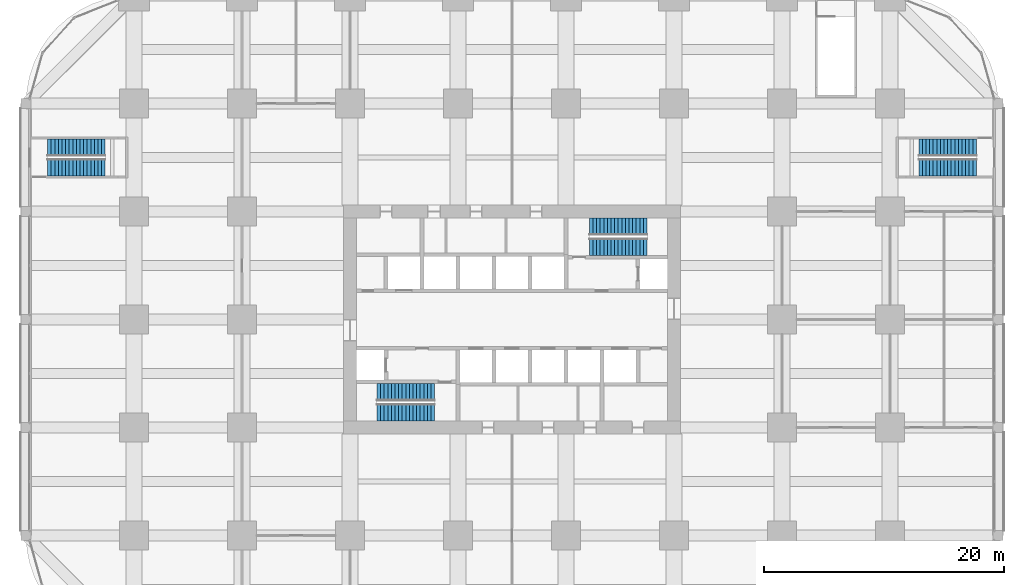
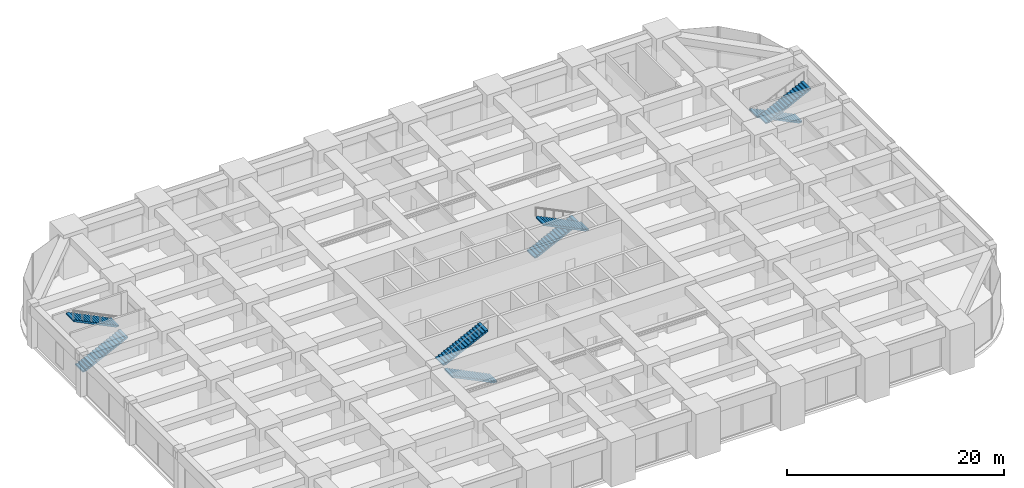
# One storey, part 44 of 46: 8 stair flights, 4 elements without a shape of their own.
"""IFC4 building model written with IfcOpenShell, lengths in metres."""

from ifc_helpers import new_model, si_unit, direction, frame, origin, place, context, subcontext, project, spatial, polyline, outline, extrude, material, type_object, element, aggregate, save


model = new_model("IFC4")

# Units and contexts
model_context = context("Model", 3, precision=1e-05, world=origin(), true_north=direction((0.0, 1.0)))
body_context = subcontext(model_context, "Body", "Model", "MODEL_VIEW")
ifc_project = project(units=[si_unit("LENGTHUNIT", "METRE"), si_unit("AREAUNIT", "SQUARE_METRE"), si_unit("VOLUMEUNIT", "CUBIC_METRE"), si_unit("PLANEANGLEUNIT", "RADIAN"), si_unit("MASSUNIT", "GRAM", prefix="KILO")], contexts=[model_context])

# Site, building, storey
site_placement = place(None, origin())
site = spatial("IfcSite", under=ifc_project, at=site_placement, CompositionType="ELEMENT")
building_placement = place(site_placement, origin())
building = spatial("IfcBuilding", under=site, at=building_placement, Name="Zorevar Civic Tower", CompositionType="ELEMENT")
storey_placement = place(building_placement, frame((0.0, 0.0, 10.800048828125)))
storey = spatial("IfcBuildingStorey", under=building, at=storey_placement, Name="L02", CompositionType="ELEMENT", Elevation=10.800048828125)

# Stair, stair flights
ifc_material_1 = material(Name="Precast concrete C40/50", Category="concrete")
stair_type_1 = type_object("IfcStairType", Name="Escape stair PS 34R", PredefinedType="HALF_TURN_STAIR", material=ifc_material_1)
stair_1_placement = place(storey_placement, origin())
stair_1 = element("IfcStair", 1, at=stair_1_placement, inside=storey, type_object=stair_type_1, Name="Escape stair PS1 L02", PredefinedType="HALF_TURN_STAIR")
ifc_material_2 = material(Name="Precast concrete C40/50", Category="concrete")
stair_flight_type_1 = type_object("IfcStairFlightType", Name="Escape stair flight", PredefinedType="STRAIGHT", material=ifc_material_2)
stair_flight_1_placement = place(storey_placement, frame((-7.199951171875, 39.675048828125, 0.0), z_axis=(0.0, 0.0, 1.0), x_axis=(1.0, 0.0, 0.0)))
stair_flight_1 = element("IfcStairFlight", 2, at=stair_flight_1_placement, type_object=stair_flight_type_1, Name="PS1 flight 1", NumberOfRisers=17, NumberOfTreads=16, PredefinedType="STRAIGHT", RiserHeight=0.147058824, TreadLength=0.3, context=body_context, shape_type="SweptSolid", body=[
    extrude(outline(polyline([(0.0, 0.0), (0.0, 0.14697265625), (0.300048828125, 0.14697265625), (0.300048828125, 0.294189453125), (0.60009765625, 0.294189453125), (0.60009765625, 0.441162109375), (0.89990234375, 0.441162109375), (0.89990234375, 0.588134765625), (1.199951171875, 0.588134765625), (1.199951171875, 0.7353515625), (1.5, 0.7353515625), (1.5, 0.88232421875), (1.800048828125, 0.88232421875), (1.800048828125, 1.029296875), (2.10009765625, 1.029296875), (2.10009765625, 1.176513671875), (2.39990234375, 1.176513671875), (2.39990234375, 1.323486328125), (2.699951171875, 1.323486328125), (2.699951171875, 1.470703125), (3.0, 1.470703125), (3.0, 1.61767578125), (3.300048828125, 1.61767578125), (3.300048828125, 1.7646484375), (3.60009765625, 1.7646484375), (3.60009765625, 1.911865234375), (3.89990234375, 1.911865234375), (3.89990234375, 2.058837890625), (4.199951171875, 2.058837890625), (4.199951171875, 2.205810546875), (4.5, 2.205810546875), (4.5, 2.35302734375), (4.800048828125, 2.35302734375), (4.800048828125, 2.5), (4.800048828125, 2.18603515625), (0.340576171875, 0.0), (0.0, 0.0)])), frame((0.0, 0.699951171875, 0.0), z_axis=(0.0, -1.0, 0.0), x_axis=(1.0, 0.0, 0.0)), (0.0, 0.0, 1.0), 1.39990234375),
])
stair_flight_2_placement = place(storey_placement, frame((-2.39990234375, 41.324951171875, 2.5), z_axis=(0.0, 0.0, 1.0), x_axis=(-1.0, 0.0, 0.0)))
stair_flight_2 = element("IfcStairFlight", 3, at=stair_flight_2_placement, type_object=stair_flight_type_1, Name="PS1 flight 2", NumberOfRisers=17, NumberOfTreads=16, PredefinedType="STRAIGHT", RiserHeight=0.147058824, TreadLength=0.3, context=body_context, shape_type="SweptSolid", body=[
    extrude(outline(polyline([(0.0, 0.0), (0.0, 0.14697265625), (0.300048828125, 0.14697265625), (0.300048828125, 0.294189453125), (0.60009765625, 0.294189453125), (0.60009765625, 0.441162109375), (0.89990234375, 0.441162109375), (0.89990234375, 0.588134765625), (1.199951171875, 0.588134765625), (1.199951171875, 0.7353515625), (1.5, 0.7353515625), (1.5, 0.88232421875), (1.800048828125, 0.88232421875), (1.800048828125, 1.029296875), (2.10009765625, 1.029296875), (2.10009765625, 1.176513671875), (2.39990234375, 1.176513671875), (2.39990234375, 1.323486328125), (2.699951171875, 1.323486328125), (2.699951171875, 1.470703125), (3.0, 1.470703125), (3.0, 1.61767578125), (3.300048828125, 1.61767578125), (3.300048828125, 1.7646484375), (3.60009765625, 1.7646484375), (3.60009765625, 1.911865234375), (3.89990234375, 1.911865234375), (3.89990234375, 2.058837890625), (4.199951171875, 2.058837890625), (4.199951171875, 2.205810546875), (4.5, 2.205810546875), (4.5, 2.35302734375), (4.800048828125, 2.35302734375), (4.800048828125, 2.5), (4.800048828125, 2.18603515625), (0.340576171875, 0.0), (0.0, 0.0)])), frame((0.0, 0.699951171875, 0.0), z_axis=(0.0, -1.0, 0.0), x_axis=(1.0, 0.0, 0.0)), (0.0, 0.0, 1.0), 1.39990234375),
])
aggregate(stair_1, [stair_flight_1, stair_flight_2])

stair_2_placement = place(storey_placement, origin())
stair_2 = element("IfcStair", 4, at=stair_2_placement, inside=storey, type_object=stair_type_1, Name="Escape stair PS2 L02", PredefinedType="HALF_TURN_STAIR")
stair_flight_3_placement = place(storey_placement, frame((70.199951171875, 41.324951171875, 0.0), z_axis=(0.0, 0.0, 1.0), x_axis=(-1.0, 0.0, 0.0)))
stair_flight_3 = element("IfcStairFlight", 5, at=stair_flight_3_placement, type_object=stair_flight_type_1, Name="PS2 flight 1", NumberOfRisers=17, NumberOfTreads=16, PredefinedType="STRAIGHT", RiserHeight=0.147058824, TreadLength=0.3, context=body_context, shape_type="SweptSolid", body=[
    extrude(outline(polyline([(0.0, 0.0), (0.0, 0.14697265625), (0.300048828125, 0.14697265625), (0.300048828125, 0.294189453125), (0.60009765625, 0.294189453125), (0.60009765625, 0.441162109375), (0.89990234375, 0.441162109375), (0.89990234375, 0.588134765625), (1.199951171875, 0.588134765625), (1.199951171875, 0.7353515625), (1.5, 0.7353515625), (1.5, 0.88232421875), (1.800048828125, 0.88232421875), (1.800048828125, 1.029296875), (2.10009765625, 1.029296875), (2.10009765625, 1.176513671875), (2.39990234375, 1.176513671875), (2.39990234375, 1.323486328125), (2.699951171875, 1.323486328125), (2.699951171875, 1.470703125), (3.0, 1.470703125), (3.0, 1.61767578125), (3.300048828125, 1.61767578125), (3.300048828125, 1.7646484375), (3.60009765625, 1.7646484375), (3.60009765625, 1.911865234375), (3.89990234375, 1.911865234375), (3.89990234375, 2.058837890625), (4.199951171875, 2.058837890625), (4.199951171875, 2.205810546875), (4.5, 2.205810546875), (4.5, 2.35302734375), (4.800048828125, 2.35302734375), (4.800048828125, 2.5), (4.800048828125, 2.18603515625), (0.340576171875, 0.0), (0.0, 0.0)])), frame((0.0, 0.699951171875, 0.0), z_axis=(0.0, -1.0, 0.0), x_axis=(1.0, 0.0, 0.0)), (0.0, 0.0, 1.0), 1.39990234375),
])
stair_flight_4_placement = place(storey_placement, frame((65.39990234375, 39.675048828125, 2.5), z_axis=(0.0, 0.0, 1.0), x_axis=(1.0, 0.0, 0.0)))
stair_flight_4 = element("IfcStairFlight", 6, at=stair_flight_4_placement, type_object=stair_flight_type_1, Name="PS2 flight 2", NumberOfRisers=17, NumberOfTreads=16, PredefinedType="STRAIGHT", RiserHeight=0.147058824, TreadLength=0.3, context=body_context, shape_type="SweptSolid", body=[
    extrude(outline(polyline([(0.0, 0.0), (0.0, 0.14697265625), (0.300048828125, 0.14697265625), (0.300048828125, 0.294189453125), (0.60009765625, 0.294189453125), (0.60009765625, 0.441162109375), (0.89990234375, 0.441162109375), (0.89990234375, 0.588134765625), (1.199951171875, 0.588134765625), (1.199951171875, 0.7353515625), (1.5, 0.7353515625), (1.5, 0.88232421875), (1.800048828125, 0.88232421875), (1.800048828125, 1.029296875), (2.10009765625, 1.029296875), (2.10009765625, 1.176513671875), (2.39990234375, 1.176513671875), (2.39990234375, 1.323486328125), (2.699951171875, 1.323486328125), (2.699951171875, 1.470703125), (3.0, 1.470703125), (3.0, 1.61767578125), (3.300048828125, 1.61767578125), (3.300048828125, 1.7646484375), (3.60009765625, 1.7646484375), (3.60009765625, 1.911865234375), (3.89990234375, 1.911865234375), (3.89990234375, 2.058837890625), (4.199951171875, 2.058837890625), (4.199951171875, 2.205810546875), (4.5, 2.205810546875), (4.5, 2.35302734375), (4.800048828125, 2.35302734375), (4.800048828125, 2.5), (4.800048828125, 2.18603515625), (0.340576171875, 0.0), (0.0, 0.0)])), frame((0.0, 0.699951171875, 0.0), z_axis=(0.0, -1.0, 0.0), x_axis=(1.0, 0.0, 0.0)), (0.0, 0.0, 1.0), 1.39990234375),
])
aggregate(stair_2, [stair_flight_3, stair_flight_4])

ifc_material_3 = material(Name="Precast concrete C40/50", Category="concrete")
stair_type_2 = type_object("IfcStairType", Name="Stair ST 34R", PredefinedType="HALF_TURN_STAIR", material=ifc_material_3)
stair_3_placement = place(storey_placement, origin())
stair_3 = element("IfcStair", 7, at=stair_3_placement, inside=storey, type_object=stair_type_2, Name="Stair ST1 L02", PredefinedType="HALF_TURN_STAIR")
ifc_material_4 = material(Name="Precast concrete C40/50", Category="concrete")
stair_flight_type_2 = type_object("IfcStairFlightType", Name="Stair flight", PredefinedType="STRAIGHT", material=ifc_material_4)
stair_flight_5_placement = place(storey_placement, frame((25.050048828125, 19.262451171875, 0.0), z_axis=(0.0, 0.0, 1.0), x_axis=(-1.0, 0.0, 0.0)))
stair_flight_5 = element("IfcStairFlight", 8, at=stair_flight_5_placement, type_object=stair_flight_type_2, Name="ST1 flight 1", NumberOfRisers=17, NumberOfTreads=16, PredefinedType="STRAIGHT", RiserHeight=0.147058824, TreadLength=0.3, context=body_context, shape_type="SweptSolid", body=[
    extrude(outline(polyline([(0.0, 0.0), (0.0, 0.14697265625), (0.300048828125, 0.14697265625), (0.300048828125, 0.294189453125), (0.60009765625, 0.294189453125), (0.60009765625, 0.441162109375), (0.89990234375, 0.441162109375), (0.89990234375, 0.588134765625), (1.199951171875, 0.588134765625), (1.199951171875, 0.7353515625), (1.5, 0.7353515625), (1.5, 0.88232421875), (1.800048828125, 0.88232421875), (1.800048828125, 1.029296875), (2.10009765625, 1.029296875), (2.10009765625, 1.176513671875), (2.39990234375, 1.176513671875), (2.39990234375, 1.323486328125), (2.699951171875, 1.323486328125), (2.699951171875, 1.470703125), (3.0, 1.470703125), (3.0, 1.61767578125), (3.300048828125, 1.61767578125), (3.300048828125, 1.7646484375), (3.60009765625, 1.7646484375), (3.60009765625, 1.911865234375), (3.89990234375, 1.911865234375), (3.89990234375, 2.058837890625), (4.199951171875, 2.058837890625), (4.199951171875, 2.205810546875), (4.5, 2.205810546875), (4.5, 2.35302734375), (4.800048828125, 2.35302734375), (4.800048828125, 2.5), (4.800048828125, 2.18603515625), (0.340576171875, 0.0), (0.0, 0.0)])), frame((0.0, 0.71240234375, 0.0), z_axis=(0.0, -1.0, 0.0), x_axis=(1.0, 0.0, 0.0)), (0.0, 0.0, 1.0), 1.425048828125),
])
stair_flight_6_placement = place(storey_placement, frame((20.25, 20.9375, 2.5), z_axis=(0.0, 0.0, 1.0), x_axis=(1.0, 0.0, 0.0)))
stair_flight_6 = element("IfcStairFlight", 9, at=stair_flight_6_placement, type_object=stair_flight_type_2, Name="ST1 flight 2", NumberOfRisers=17, NumberOfTreads=16, PredefinedType="STRAIGHT", RiserHeight=0.147058824, TreadLength=0.3, context=body_context, shape_type="SweptSolid", body=[
    extrude(outline(polyline([(0.0, 0.0), (0.0, 0.14697265625), (0.300048828125, 0.14697265625), (0.300048828125, 0.294189453125), (0.60009765625, 0.294189453125), (0.60009765625, 0.441162109375), (0.89990234375, 0.441162109375), (0.89990234375, 0.588134765625), (1.199951171875, 0.588134765625), (1.199951171875, 0.7353515625), (1.5, 0.7353515625), (1.5, 0.88232421875), (1.800048828125, 0.88232421875), (1.800048828125, 1.029296875), (2.10009765625, 1.029296875), (2.10009765625, 1.176513671875), (2.39990234375, 1.176513671875), (2.39990234375, 1.323486328125), (2.699951171875, 1.323486328125), (2.699951171875, 1.470703125), (3.0, 1.470703125), (3.0, 1.61767578125), (3.300048828125, 1.61767578125), (3.300048828125, 1.7646484375), (3.60009765625, 1.7646484375), (3.60009765625, 1.911865234375), (3.89990234375, 1.911865234375), (3.89990234375, 2.058837890625), (4.199951171875, 2.058837890625), (4.199951171875, 2.205810546875), (4.5, 2.205810546875), (4.5, 2.35302734375), (4.800048828125, 2.35302734375), (4.800048828125, 2.5), (4.800048828125, 2.18603515625), (0.340576171875, 0.0), (0.0, 0.0)])), frame((0.0, 0.71240234375, 0.0), z_axis=(0.0, -1.0, 0.0), x_axis=(1.0, 0.0, 0.0)), (0.0, 0.0, 1.0), 1.425048828125),
])
aggregate(stair_3, [stair_flight_5, stair_flight_6])

stair_4_placement = place(storey_placement, origin())
stair_4 = element("IfcStair", 10, at=stair_4_placement, inside=storey, type_object=stair_type_2, Name="Stair ST2 L02", PredefinedType="HALF_TURN_STAIR")
stair_flight_7_placement = place(storey_placement, frame((37.949951171875, 34.737548828125, 0.0), z_axis=(0.0, 0.0, 1.0), x_axis=(1.0, 0.0, 0.0)))
stair_flight_7 = element("IfcStairFlight", 11, at=stair_flight_7_placement, type_object=stair_flight_type_2, Name="ST2 flight 1", NumberOfRisers=17, NumberOfTreads=16, PredefinedType="STRAIGHT", RiserHeight=0.147058824, TreadLength=0.3, context=body_context, shape_type="SweptSolid", body=[
    extrude(outline(polyline([(0.0, 0.0), (0.0, 0.14697265625), (0.300048828125, 0.14697265625), (0.300048828125, 0.294189453125), (0.60009765625, 0.294189453125), (0.60009765625, 0.441162109375), (0.89990234375, 0.441162109375), (0.89990234375, 0.588134765625), (1.199951171875, 0.588134765625), (1.199951171875, 0.7353515625), (1.5, 0.7353515625), (1.5, 0.88232421875), (1.800048828125, 0.88232421875), (1.800048828125, 1.029296875), (2.10009765625, 1.029296875), (2.10009765625, 1.176513671875), (2.39990234375, 1.176513671875), (2.39990234375, 1.323486328125), (2.699951171875, 1.323486328125), (2.699951171875, 1.470703125), (3.0, 1.470703125), (3.0, 1.61767578125), (3.300048828125, 1.61767578125), (3.300048828125, 1.7646484375), (3.60009765625, 1.7646484375), (3.60009765625, 1.911865234375), (3.89990234375, 1.911865234375), (3.89990234375, 2.058837890625), (4.199951171875, 2.058837890625), (4.199951171875, 2.205810546875), (4.5, 2.205810546875), (4.5, 2.35302734375), (4.800048828125, 2.35302734375), (4.800048828125, 2.5), (4.800048828125, 2.18603515625), (0.340576171875, 0.0), (0.0, 0.0)])), frame((0.0, 0.71240234375, 0.0), z_axis=(0.0, -1.0, 0.0), x_axis=(1.0, 0.0, 0.0)), (0.0, 0.0, 1.0), 1.425048828125),
])
stair_flight_8_placement = place(storey_placement, frame((42.75, 33.0625, 2.5), z_axis=(0.0, 0.0, 1.0), x_axis=(-1.0, 0.0, 0.0)))
stair_flight_8 = element("IfcStairFlight", 12, at=stair_flight_8_placement, type_object=stair_flight_type_2, Name="ST2 flight 2", NumberOfRisers=17, NumberOfTreads=16, PredefinedType="STRAIGHT", RiserHeight=0.147058824, TreadLength=0.3, context=body_context, shape_type="SweptSolid", body=[
    extrude(outline(polyline([(0.0, 0.0), (0.0, 0.14697265625), (0.300048828125, 0.14697265625), (0.300048828125, 0.294189453125), (0.60009765625, 0.294189453125), (0.60009765625, 0.441162109375), (0.89990234375, 0.441162109375), (0.89990234375, 0.588134765625), (1.199951171875, 0.588134765625), (1.199951171875, 0.7353515625), (1.5, 0.7353515625), (1.5, 0.88232421875), (1.800048828125, 0.88232421875), (1.800048828125, 1.029296875), (2.10009765625, 1.029296875), (2.10009765625, 1.176513671875), (2.39990234375, 1.176513671875), (2.39990234375, 1.323486328125), (2.699951171875, 1.323486328125), (2.699951171875, 1.470703125), (3.0, 1.470703125), (3.0, 1.61767578125), (3.300048828125, 1.61767578125), (3.300048828125, 1.7646484375), (3.60009765625, 1.7646484375), (3.60009765625, 1.911865234375), (3.89990234375, 1.911865234375), (3.89990234375, 2.058837890625), (4.199951171875, 2.058837890625), (4.199951171875, 2.205810546875), (4.5, 2.205810546875), (4.5, 2.35302734375), (4.800048828125, 2.35302734375), (4.800048828125, 2.5), (4.800048828125, 2.18603515625), (0.340576171875, 0.0), (0.0, 0.0)])), frame((0.0, 0.71240234375, 0.0), z_axis=(0.0, -1.0, 0.0), x_axis=(1.0, 0.0, 0.0)), (0.0, 0.0, 1.0), 1.425048828125),
])
aggregate(stair_4, [stair_flight_7, stair_flight_8])

save(model, "model.ifc")
